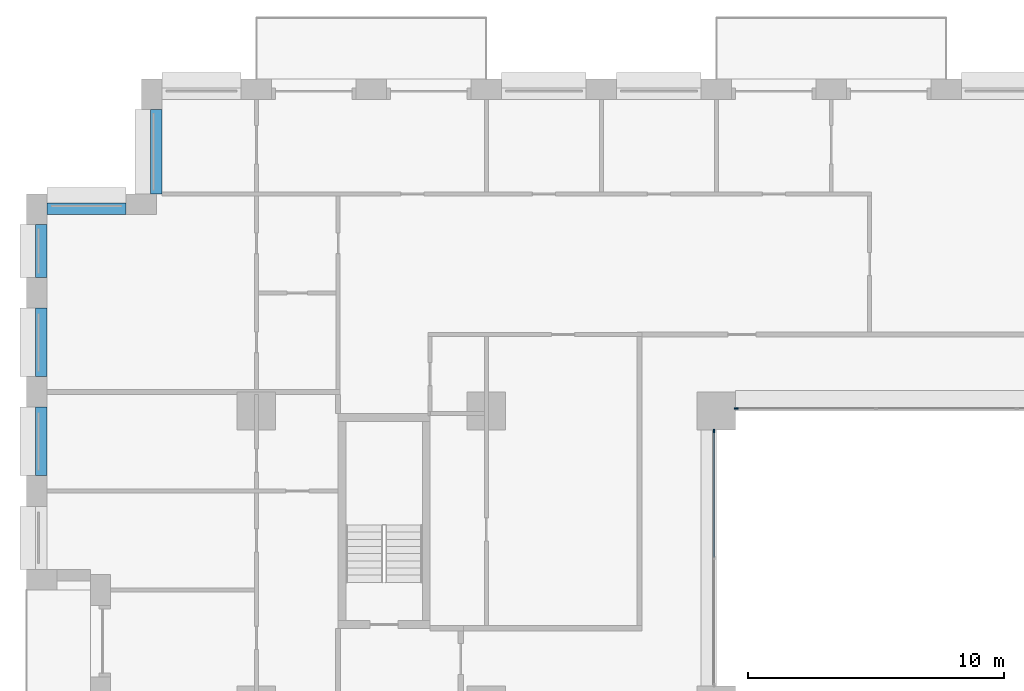
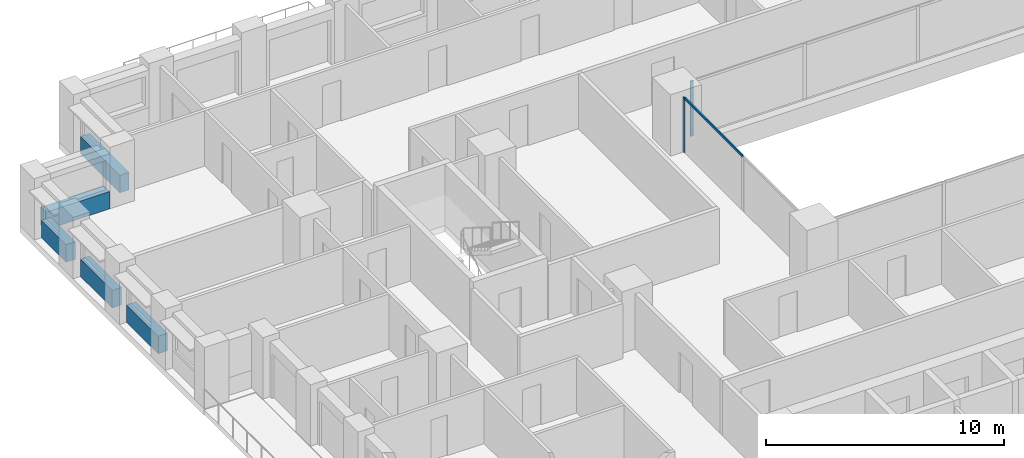
# One storey, part 5 of 20: 5 beams, 3 members, 2 elements without a shape of their own.
"""IFC4 building model written with IfcOpenShell, lengths in metres."""

from ifc_helpers import new_model, si_unit, direction, frame, origin, origin_2d, place, context, subcontext, project, spatial, rectangle, extrude, material, layer, layer_set, material_profile, profile_set, type_object, element, aggregate, save


model = new_model("IFC4")

# Units and contexts
model_context = context("Model", 3, precision=1e-05, world=origin(), true_north=direction((0.0, 1.0)))
body_context = subcontext(model_context, "Body", "Model", "MODEL_VIEW")
ifc_project = project(units=[si_unit("LENGTHUNIT", "METRE"), si_unit("AREAUNIT", "SQUARE_METRE"), si_unit("VOLUMEUNIT", "CUBIC_METRE"), si_unit("PLANEANGLEUNIT", "RADIAN"), si_unit("MASSUNIT", "GRAM", prefix="KILO")], contexts=[model_context])

# Site, building, storey
site_placement = place(None, origin())
site = spatial("IfcSite", under=ifc_project, at=site_placement, CompositionType="ELEMENT")
building_placement = place(site_placement, origin())
building = spatial("IfcBuilding", under=site, at=building_placement, Name="Brigalow Station Residences", CompositionType="ELEMENT")
storey_placement = place(building_placement, frame((0.0, 0.0, 38.39990234375)))
storey = spatial("IfcBuildingStorey", under=building, at=storey_placement, Name="L10", CompositionType="ELEMENT", Elevation=38.39990234375)

# Curtain wall, member
ifc_material_1 = material(Name="Aluminium", Category="aluminium")
ifc_layer = layer(ifc_material_1, 0.14990234375)
ifc_layer_set = layer_set([ifc_layer], Name="ATRIUM FIRE-RATED GLAZING CURTAIN WALL")
curtain_wall_type = type_object("IfcCurtainWallType", Name="ATRIUM FIRE-RATED GLAZING CURTAIN WALL", PredefinedType="NOTDEFINED", material=ifc_layer_set)
curtain_wall_1_placement = place(storey_placement, origin())
curtain_wall_1 = element("IfcCurtainWall", 1, at=curtain_wall_1_placement, inside=storey, type_object=curtain_wall_type, Name="L10/cw/atrium-N", PredefinedType="NOTDEFINED")
ifc_material_2 = material(Name="Aluminium", Category="aluminium")
ifc_material_profile_1 = material_profile(ifc_material_2, rectangle(XDim=0.06005859375, YDim=0.14990234375, at=origin_2d()), Name="ATRIUM FIRE-RATED GLAZING MULLION 60x150")
ifc_profile_set_1 = profile_set([ifc_material_profile_1], Name="Aluminium")
member_type_1 = type_object("IfcMemberType", Name="ATRIUM FIRE-RATED GLAZING MULLION 60x150", PredefinedType="MULLION", material=ifc_profile_set_1)
member_1_placement = place(storey_placement, frame((27.780029296875, 35.60009765625, 0.0), z_axis=(0.0, 0.0, 1.0), x_axis=(0.0, -1.0, 0.0)))
member_1 = element("IfcMember", 2, at=member_1_placement, type_object=member_type_1, Name="L10/cw/atrium-N/M03", PredefinedType="MULLION", context=body_context, shape_type="SweptSolid", body=[
    extrude(rectangle(XDim=0.06005859375, YDim=0.14990234375, at=origin_2d()), origin(), (0.0, 0.0, 1.0), 2.830078125),
])
aggregate(curtain_wall_1, [member_1])

# Curtain wall, members
curtain_wall_2_placement = place(storey_placement, origin())
curtain_wall_2 = element("IfcCurtainWall", 3, at=curtain_wall_2_placement, inside=storey, type_object=curtain_wall_type, Name="L10/cw/atrium-W", PredefinedType="NOTDEFINED")
member_2_placement = place(storey_placement, frame((26.89990234375, 34.719970703125, 0.0), z_axis=(0.0, 0.0, 1.0), x_axis=(1.0, 0.0, 0.0)))
member_2 = element("IfcMember", 4, at=member_2_placement, type_object=member_type_1, Name="L10/cw/atrium-W/M00", PredefinedType="MULLION", context=body_context, shape_type="SweptSolid", body=[
    extrude(rectangle(XDim=0.06005859375, YDim=0.14990234375, at=origin_2d()), origin(), (0.0, 0.0, 1.0), 2.830078125),
])
ifc_material_3 = material(Name="Aluminium", Category="aluminium")
ifc_material_profile_2 = material_profile(ifc_material_3, rectangle(XDim=0.06005859375, YDim=0.1201171875, at=origin_2d()), Name="ATRIUM FIRE-RATED GLAZING TRANSOM 60x120")
ifc_profile_set_2 = profile_set([ifc_material_profile_2], Name="Aluminium")
member_type_2 = type_object("IfcMemberType", Name="ATRIUM FIRE-RATED GLAZING TRANSOM 60x120", PredefinedType="USERDEFINED", material=ifc_profile_set_2)
member_3_placement = place(storey_placement, frame((26.89990234375, 34.68994140625, 2.800048828125), z_axis=(0.0, -1.0, 0.0), x_axis=(1.0, 0.0, 0.0)))
member_3 = element("IfcMember", 5, at=member_3_placement, type_object=member_type_2, Name="L10/cw/atrium-W/T00-00", ObjectType="TRANSOM", PredefinedType="USERDEFINED", context=body_context, shape_type="SweptSolid", body=[
    extrude(rectangle(XDim=0.06005859375, YDim=0.1201171875, at=origin_2d()), origin(), (0.0, 0.0, 1.0), 4.909912109375),
])
aggregate(curtain_wall_2, [member_2, member_3])

# Beams
ifc_material_4 = material(Name="Concrete C65", Category="concrete")
ifc_material_profile_3 = material_profile(ifc_material_4, rectangle(XDim=0.449951171875, YDim=0.89990234375, at=origin_2d()), Name="RC450x900")
ifc_profile_set_3 = profile_set([ifc_material_profile_3], Name="Concrete C65")
beam_type = type_object("IfcBeamType", Name="SPANDREL BEAM 450x900 C65", PredefinedType="SPANDREL", material=ifc_profile_set_3)
beam_1_placement = place(storey_placement, frame((5.074951171875, 47.300048828125, 0.4501953125), z_axis=(0.0, -1.0, 0.0), x_axis=(1.0, 0.0, 0.0)))
element("IfcBeam", 6, at=beam_1_placement, inside=storey, type_object=beam_type, Name="L10/spandrel/W-L10-40", PredefinedType="SPANDREL", context=body_context, shape_type="SweptSolid", body=[
    extrude(rectangle(XDim=0.449951171875, YDim=0.89990234375, at=origin_2d()), origin(), (0.0, 0.0, 1.0), 3.300048828125),
])
beam_2_placement = place(storey_placement, frame((3.89990234375, 43.425048828125, 0.4501953125), z_axis=(-1.0, 0.0, 0.0), x_axis=(0.0, -1.0, 0.0)))
element("IfcBeam", 7, at=beam_2_placement, inside=storey, type_object=beam_type, Name="L10/spandrel/W-L10-41", PredefinedType="SPANDREL", context=body_context, shape_type="SweptSolid", body=[
    extrude(rectangle(XDim=0.449951171875, YDim=0.89990234375, at=origin_2d()), origin(), (0.0, 0.0, 1.0), 3.099853515625),
])
beam_3_placement = place(storey_placement, frame((0.574951171875, 42.800048828125, 0.4501953125), z_axis=(0.0, -1.0, 0.0), x_axis=(1.0, 0.0, 0.0)))
element("IfcBeam", 8, at=beam_3_placement, inside=storey, type_object=beam_type, Name="L10/spandrel/W-L10-42", PredefinedType="SPANDREL", context=body_context, shape_type="SweptSolid", body=[
    extrude(rectangle(XDim=0.449951171875, YDim=0.89990234375, at=origin_2d()), origin(), (0.0, 0.0, 1.0), 2.074951171875),
])
for number, where, z_axis, x_axis, name in (
    (9, (0.574951171875, 39.52490234375, 0.4501953125), (0.0, -1.0, 0.0), (1.0, 0.0, 0.0), "L10/spandrel/W-L10-43"),
    (10, (0.574951171875, 35.64990234375, 0.4501953125), (0.0, -1.0, 0.0), (1.0, 0.0, 0.0), "L10/spandrel/W-L10-44"),
):
    element("IfcBeam", number, at=place(storey_placement, frame(where, z_axis=z_axis, x_axis=x_axis)), inside=storey, type_object=beam_type, Name=name, PredefinedType="SPANDREL", context=body_context, shape_type="SweptSolid", body=[
        extrude(rectangle(XDim=0.449951171875, YDim=0.89990234375, at=origin_2d()), origin(), (0.0, 0.0, 1.0), 2.6748046875),
    ])

save(model, "model.ifc")
